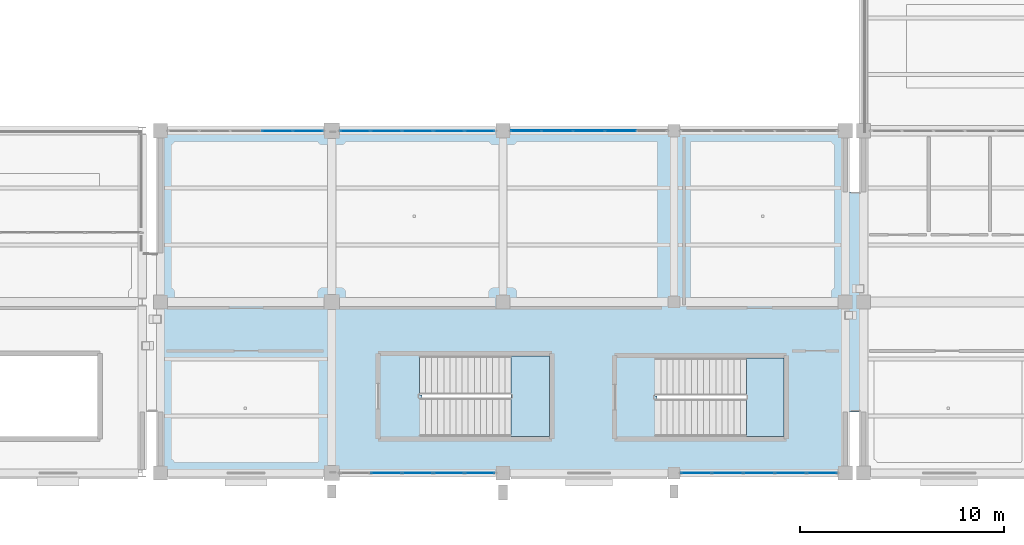
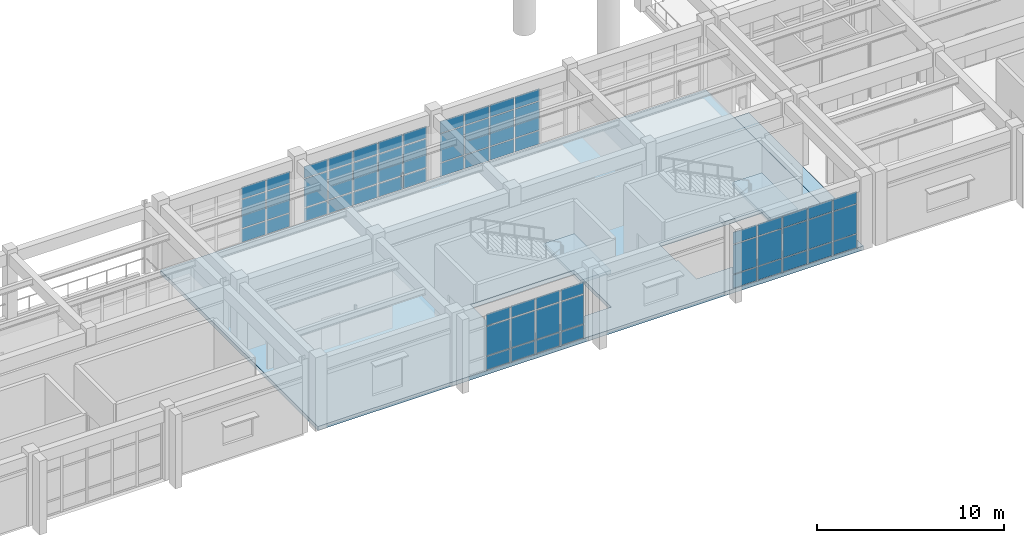
# One storey, part 69 of 98: 60 plates, 4 slabs, 7 elements without a shape of their own.
"""IFC4 building model written with IfcOpenShell, lengths in metres."""

from ifc_helpers import new_model, si_unit, direction, frame, origin, origin_2d, place, context, subcontext, project, spatial, polyline, rectangle, outline, extrude, material, layer, layer_set, type_object, element, aggregate, save


model = new_model("IFC4")

# Units and contexts
model_context = context("Model", 3, precision=1e-05, world=origin(), true_north=direction((0.0, 1.0)))
body_context = subcontext(model_context, "Body", "Model", "MODEL_VIEW")
ifc_project = project(units=[si_unit("LENGTHUNIT", "METRE"), si_unit("AREAUNIT", "SQUARE_METRE"), si_unit("VOLUMEUNIT", "CUBIC_METRE"), si_unit("PLANEANGLEUNIT", "RADIAN"), si_unit("MASSUNIT", "GRAM", prefix="KILO")], contexts=[model_context])

# Site, building, storey
site_placement = place(None, origin())
site = spatial("IfcSite", under=ifc_project, at=site_placement, CompositionType="ELEMENT")
building_placement = place(site_placement, origin())
building = spatial("IfcBuilding", under=site, at=building_placement, Name="Canglan Escarpment Cableway Terminal", CompositionType="ELEMENT")
storey_placement = place(building_placement, frame((0.0, 0.0, 9.60009765625)))
storey = spatial("IfcBuildingStorey", under=building, at=storey_placement, Name="L02", CompositionType="ELEMENT", Elevation=9.60009765625)

# Curtain wall, plates
ifc_material_1 = material(Name="Anodized bronze aluminium and Low-E double glazing", Category="aluminium")
curtain_wall_type_1 = type_object("IfcCurtainWallType", Name="CW-BAY-7675x3725", PredefinedType="NOTDEFINED", material=ifc_material_1)
curtain_wall_1_placement = place(storey_placement, origin())
curtain_wall_1 = element("IfcCurtainWall", 1, at=curtain_wall_1_placement, inside=storey, type_object=curtain_wall_type_1, Name="Classical bay-between-piers glazed curtain wall CW-05", PredefinedType="NOTDEFINED")
ifc_material_2 = material(Name="Double-silver Low-E laminated insulating glass", Category="glass")
ifc_layer_1 = layer(ifc_material_2, 0.02392578125, Name="Double-silver Low-E laminated insulating glass")
ifc_layer_set_1 = layer_set([ifc_layer_1], Name="Double-silver Low-E laminated insulating glass")
plate_type_1 = type_object("IfcPlateType", Name="CWP-01", PredefinedType="CURTAIN_PANEL", material=ifc_layer_set_1)
plate_1_placement = place(storey_placement, frame((84.2412109375, 24.800048828125, 0.06005859375), z_axis=(0.0, 0.0, 1.0), x_axis=(-1.0, 0.0, 0.0)))
plate_1 = element("IfcPlate", 2, at=plate_1_placement, type_object=plate_type_1, Name="CW-05 panel 1.1", PredefinedType="CURTAIN_PANEL", context=body_context, shape_type="SweptSolid", body=[
    extrude(rectangle(XDim=1.4375, YDim=0.02392578125, at=origin_2d()), origin(), (0.0, 0.0, 1.0), 0.860107421875),
])
plate_2_placement = place(storey_placement, frame((84.2412109375, 24.800048828125, 0.97998046875), z_axis=(0.0, 0.0, 1.0), x_axis=(-1.0, 0.0, 0.0)))
plate_2 = element("IfcPlate", 3, at=plate_2_placement, type_object=plate_type_1, Name="CW-05 panel 1.2", PredefinedType="CURTAIN_PANEL", context=body_context, shape_type="SweptSolid", body=[
    extrude(rectangle(XDim=1.4375, YDim=0.02392578125, at=origin_2d()), origin(), (0.0, 0.0, 1.0), 1.85498046875),
])
plate_3_placement = place(storey_placement, frame((84.2412109375, 24.800048828125, 2.89501953125), z_axis=(0.0, 0.0, 1.0), x_axis=(-1.0, 0.0, 0.0)))
plate_3 = element("IfcPlate", 4, at=plate_3_placement, type_object=plate_type_1, Name="CW-05 panel 1.3", PredefinedType="CURTAIN_PANEL", context=body_context, shape_type="SweptSolid", body=[
    extrude(rectangle(XDim=1.4375, YDim=0.02392578125, at=origin_2d()), origin(), (0.0, 0.0, 1.0), 0.760009765625),
])
plate_4_placement = place(storey_placement, frame((82.722412109375, 24.800048828125, 0.06005859375), z_axis=(0.0, 0.0, 1.0), x_axis=(-1.0, 0.0, 0.0)))
plate_4 = element("IfcPlate", 5, at=plate_4_placement, type_object=plate_type_1, Name="CW-05 panel 2.1", PredefinedType="CURTAIN_PANEL", context=body_context, shape_type="SweptSolid", body=[
    extrude(rectangle(XDim=1.469970703125, YDim=0.02392578125, at=origin_2d()), origin(), (0.0, 0.0, 1.0), 0.860107421875),
])
plate_5_placement = place(storey_placement, frame((82.722412109375, 24.800048828125, 0.97998046875), z_axis=(0.0, 0.0, 1.0), x_axis=(-1.0, 0.0, 0.0)))
plate_5 = element("IfcPlate", 6, at=plate_5_placement, type_object=plate_type_1, Name="CW-05 panel 2.2", PredefinedType="CURTAIN_PANEL", context=body_context, shape_type="SweptSolid", body=[
    extrude(rectangle(XDim=1.469970703125, YDim=0.02392578125, at=origin_2d()), origin(), (0.0, 0.0, 1.0), 1.85498046875),
])
plate_6_placement = place(storey_placement, frame((82.722412109375, 24.800048828125, 2.89501953125), z_axis=(0.0, 0.0, 1.0), x_axis=(-1.0, 0.0, 0.0)))
plate_6 = element("IfcPlate", 7, at=plate_6_placement, type_object=plate_type_1, Name="CW-05 panel 2.3", PredefinedType="CURTAIN_PANEL", context=body_context, shape_type="SweptSolid", body=[
    extrude(rectangle(XDim=1.469970703125, YDim=0.02392578125, at=origin_2d()), origin(), (0.0, 0.0, 1.0), 0.760009765625),
])
aggregate(curtain_wall_1, [plate_1, plate_2, plate_3, plate_4, plate_5, plate_6])

curtain_wall_type_2 = type_object("IfcCurtainWallType", Name="CW-BAY-7675x3750", PredefinedType="NOTDEFINED", material=ifc_material_1)
curtain_wall_2_placement = place(storey_placement, origin())
curtain_wall_2 = element("IfcCurtainWall", 8, at=curtain_wall_2_placement, inside=storey, type_object=curtain_wall_type_2, Name="Classical bay-between-piers glazed curtain wall CW-11", PredefinedType="NOTDEFINED")
ifc_layer_2 = layer(ifc_material_2, 0.028076171875, Name="Double-silver Low-E laminated insulating glass")
ifc_layer_set_2 = layer_set([ifc_layer_2], Name="Double-silver Low-E laminated insulating glass")
plate_type_2 = type_object("IfcPlateType", Name="CWP-02", PredefinedType="CURTAIN_PANEL", material=ifc_layer_set_2)
plate_7_placement = place(storey_placement, frame((88.077392578125, 8.0, 0.06494140625), z_axis=(0.0, 0.0, 1.0), x_axis=(1.0, 0.0, 0.0)))
plate_7 = element("IfcPlate", 9, at=plate_7_placement, type_object=plate_type_2, Name="CW-11 panel 2.1", PredefinedType="CURTAIN_PANEL", context=body_context, shape_type="SweptSolid", body=[
    extrude(rectangle(XDim=1.469970703125, YDim=0.028076171875, at=origin_2d()), origin(), (0.0, 0.0, 1.0), 0.8525390625),
])
plate_8_placement = place(storey_placement, frame((88.077392578125, 8.0, 0.982421875), z_axis=(0.0, 0.0, 1.0), x_axis=(1.0, 0.0, 0.0)))
plate_8 = element("IfcPlate", 10, at=plate_8_placement, type_object=plate_type_2, Name="CW-11 panel 2.2", PredefinedType="CURTAIN_PANEL", context=body_context, shape_type="SweptSolid", body=[
    extrude(rectangle(XDim=1.469970703125, YDim=0.028076171875, at=origin_2d()), origin(), (0.0, 0.0, 1.0), 1.889892578125),
])
plate_9_placement = place(storey_placement, frame((88.077392578125, 8.0, 2.9375), z_axis=(0.0, 0.0, 1.0), x_axis=(1.0, 0.0, 0.0)))
plate_9 = element("IfcPlate", 11, at=plate_9_placement, type_object=plate_type_2, Name="CW-11 panel 2.3", PredefinedType="CURTAIN_PANEL", context=body_context, shape_type="SweptSolid", body=[
    extrude(rectangle(XDim=1.469970703125, YDim=0.028076171875, at=origin_2d()), origin(), (0.0, 0.0, 1.0), 0.75244140625),
])
plate_10_placement = place(storey_placement, frame((89.612548828125, 8.0, 0.06494140625), z_axis=(0.0, 0.0, 1.0), x_axis=(1.0, 0.0, 0.0)))
plate_10 = element("IfcPlate", 12, at=plate_10_placement, type_object=plate_type_2, Name="CW-11 panel 3.1", PredefinedType="CURTAIN_PANEL", context=body_context, shape_type="SweptSolid", body=[
    extrude(rectangle(XDim=1.469970703125, YDim=0.028076171875, at=origin_2d()), origin(), (0.0, 0.0, 1.0), 0.8525390625),
])
plate_11_placement = place(storey_placement, frame((89.612548828125, 8.0, 0.982421875), z_axis=(0.0, 0.0, 1.0), x_axis=(1.0, 0.0, 0.0)))
plate_11 = element("IfcPlate", 13, at=plate_11_placement, type_object=plate_type_2, Name="CW-11 panel 3.2", PredefinedType="CURTAIN_PANEL", context=body_context, shape_type="SweptSolid", body=[
    extrude(rectangle(XDim=1.469970703125, YDim=0.028076171875, at=origin_2d()), origin(), (0.0, 0.0, 1.0), 1.889892578125),
])
plate_12_placement = place(storey_placement, frame((89.612548828125, 8.0, 2.9375), z_axis=(0.0, 0.0, 1.0), x_axis=(1.0, 0.0, 0.0)))
plate_12 = element("IfcPlate", 14, at=plate_12_placement, type_object=plate_type_2, Name="CW-11 panel 3.3", PredefinedType="CURTAIN_PANEL", context=body_context, shape_type="SweptSolid", body=[
    extrude(rectangle(XDim=1.469970703125, YDim=0.028076171875, at=origin_2d()), origin(), (0.0, 0.0, 1.0), 0.75244140625),
])
plate_13_placement = place(storey_placement, frame((91.1474609375, 8.0, 0.06494140625), z_axis=(0.0, 0.0, 1.0), x_axis=(1.0, 0.0, 0.0)))
plate_13 = element("IfcPlate", 15, at=plate_13_placement, type_object=plate_type_2, Name="CW-11 panel 4.1", PredefinedType="CURTAIN_PANEL", context=body_context, shape_type="SweptSolid", body=[
    extrude(rectangle(XDim=1.469970703125, YDim=0.028076171875, at=origin_2d()), origin(), (0.0, 0.0, 1.0), 0.8525390625),
])
plate_14_placement = place(storey_placement, frame((91.1474609375, 8.0, 0.982421875), z_axis=(0.0, 0.0, 1.0), x_axis=(1.0, 0.0, 0.0)))
plate_14 = element("IfcPlate", 16, at=plate_14_placement, type_object=plate_type_2, Name="CW-11 panel 4.2", PredefinedType="CURTAIN_PANEL", context=body_context, shape_type="SweptSolid", body=[
    extrude(rectangle(XDim=1.469970703125, YDim=0.028076171875, at=origin_2d()), origin(), (0.0, 0.0, 1.0), 1.889892578125),
])
plate_15_placement = place(storey_placement, frame((91.1474609375, 8.0, 2.9375), z_axis=(0.0, 0.0, 1.0), x_axis=(1.0, 0.0, 0.0)))
plate_15 = element("IfcPlate", 17, at=plate_15_placement, type_object=plate_type_2, Name="CW-11 panel 4.3", PredefinedType="CURTAIN_PANEL", context=body_context, shape_type="SweptSolid", body=[
    extrude(rectangle(XDim=1.469970703125, YDim=0.028076171875, at=origin_2d()), origin(), (0.0, 0.0, 1.0), 0.75244140625),
])
plate_16_placement = place(storey_placement, frame((92.666259765625, 8.0, 0.06494140625), z_axis=(0.0, 0.0, 1.0), x_axis=(1.0, 0.0, 0.0)))
plate_16 = element("IfcPlate", 18, at=plate_16_placement, type_object=plate_type_2, Name="CW-11 panel 5.1", PredefinedType="CURTAIN_PANEL", context=body_context, shape_type="SweptSolid", body=[
    extrude(rectangle(XDim=1.4375, YDim=0.028076171875, at=origin_2d()), origin(), (0.0, 0.0, 1.0), 0.8525390625),
])
plate_17_placement = place(storey_placement, frame((92.666259765625, 8.0, 0.982421875), z_axis=(0.0, 0.0, 1.0), x_axis=(1.0, 0.0, 0.0)))
plate_17 = element("IfcPlate", 19, at=plate_17_placement, type_object=plate_type_2, Name="CW-11 panel 5.2", PredefinedType="CURTAIN_PANEL", context=body_context, shape_type="SweptSolid", body=[
    extrude(rectangle(XDim=1.4375, YDim=0.028076171875, at=origin_2d()), origin(), (0.0, 0.0, 1.0), 1.889892578125),
])
plate_18_placement = place(storey_placement, frame((92.666259765625, 8.0, 2.9375), z_axis=(0.0, 0.0, 1.0), x_axis=(1.0, 0.0, 0.0)))
plate_18 = element("IfcPlate", 20, at=plate_18_placement, type_object=plate_type_2, Name="CW-11 panel 5.3", PredefinedType="CURTAIN_PANEL", context=body_context, shape_type="SweptSolid", body=[
    extrude(rectangle(XDim=1.4375, YDim=0.028076171875, at=origin_2d()), origin(), (0.0, 0.0, 1.0), 0.75244140625),
])
aggregate(curtain_wall_2, [plate_7, plate_8, plate_9, plate_10, plate_11, plate_12, plate_13, plate_14, plate_15, plate_16, plate_17, plate_18])

curtain_wall_3_placement = place(storey_placement, origin())
curtain_wall_3 = element("IfcCurtainWall", 21, at=curtain_wall_3_placement, inside=storey, type_object=curtain_wall_type_1, Name="Classical bay-between-piers glazed curtain wall CW-05", PredefinedType="NOTDEFINED")
plate_19_placement = place(storey_placement, frame((92.666259765625, 24.800048828125, 0.06494140625), z_axis=(0.0, 0.0, 1.0), x_axis=(-1.0, 0.0, 0.0)))
plate_19 = element("IfcPlate", 22, at=plate_19_placement, type_object=plate_type_2, Name="CW-05 panel 1.1", PredefinedType="CURTAIN_PANEL", context=body_context, shape_type="SweptSolid", body=[
    extrude(rectangle(XDim=1.4375, YDim=0.028076171875, at=origin_2d()), origin(), (0.0, 0.0, 1.0), 0.8525390625),
])
plate_20_placement = place(storey_placement, frame((92.666259765625, 24.800048828125, 0.982421875), z_axis=(0.0, 0.0, 1.0), x_axis=(-1.0, 0.0, 0.0)))
plate_20 = element("IfcPlate", 23, at=plate_20_placement, type_object=plate_type_2, Name="CW-05 panel 1.2", PredefinedType="CURTAIN_PANEL", context=body_context, shape_type="SweptSolid", body=[
    extrude(rectangle(XDim=1.4375, YDim=0.028076171875, at=origin_2d()), origin(), (0.0, 0.0, 1.0), 1.85009765625),
])
plate_21_placement = place(storey_placement, frame((92.666259765625, 24.800048828125, 2.8974609375), z_axis=(0.0, 0.0, 1.0), x_axis=(-1.0, 0.0, 0.0)))
plate_21 = element("IfcPlate", 24, at=plate_21_placement, type_object=plate_type_2, Name="CW-05 panel 1.3", PredefinedType="CURTAIN_PANEL", context=body_context, shape_type="SweptSolid", body=[
    extrude(rectangle(XDim=1.4375, YDim=0.028076171875, at=origin_2d()), origin(), (0.0, 0.0, 1.0), 0.75244140625),
])
plate_22_placement = place(storey_placement, frame((91.1474609375, 24.800048828125, 0.06494140625), z_axis=(0.0, 0.0, 1.0), x_axis=(-1.0, 0.0, 0.0)))
plate_22 = element("IfcPlate", 25, at=plate_22_placement, type_object=plate_type_2, Name="CW-05 panel 2.1", PredefinedType="CURTAIN_PANEL", context=body_context, shape_type="SweptSolid", body=[
    extrude(rectangle(XDim=1.469970703125, YDim=0.028076171875, at=origin_2d()), origin(), (0.0, 0.0, 1.0), 0.8525390625),
])
plate_23_placement = place(storey_placement, frame((91.1474609375, 24.800048828125, 0.982421875), z_axis=(0.0, 0.0, 1.0), x_axis=(-1.0, 0.0, 0.0)))
plate_23 = element("IfcPlate", 26, at=plate_23_placement, type_object=plate_type_2, Name="CW-05 panel 2.2", PredefinedType="CURTAIN_PANEL", context=body_context, shape_type="SweptSolid", body=[
    extrude(rectangle(XDim=1.469970703125, YDim=0.028076171875, at=origin_2d()), origin(), (0.0, 0.0, 1.0), 1.85009765625),
])
plate_24_placement = place(storey_placement, frame((91.1474609375, 24.800048828125, 2.8974609375), z_axis=(0.0, 0.0, 1.0), x_axis=(-1.0, 0.0, 0.0)))
plate_24 = element("IfcPlate", 27, at=plate_24_placement, type_object=plate_type_2, Name="CW-05 panel 2.3", PredefinedType="CURTAIN_PANEL", context=body_context, shape_type="SweptSolid", body=[
    extrude(rectangle(XDim=1.469970703125, YDim=0.028076171875, at=origin_2d()), origin(), (0.0, 0.0, 1.0), 0.75244140625),
])
plate_25_placement = place(storey_placement, frame((89.612548828125, 24.800048828125, 0.06494140625), z_axis=(0.0, 0.0, 1.0), x_axis=(-1.0, 0.0, 0.0)))
plate_25 = element("IfcPlate", 28, at=plate_25_placement, type_object=plate_type_2, Name="CW-05 panel 3.1", PredefinedType="CURTAIN_PANEL", context=body_context, shape_type="SweptSolid", body=[
    extrude(rectangle(XDim=1.469970703125, YDim=0.028076171875, at=origin_2d()), origin(), (0.0, 0.0, 1.0), 0.8525390625),
])
plate_26_placement = place(storey_placement, frame((89.612548828125, 24.800048828125, 0.982421875), z_axis=(0.0, 0.0, 1.0), x_axis=(-1.0, 0.0, 0.0)))
plate_26 = element("IfcPlate", 29, at=plate_26_placement, type_object=plate_type_2, Name="CW-05 panel 3.2", PredefinedType="CURTAIN_PANEL", context=body_context, shape_type="SweptSolid", body=[
    extrude(rectangle(XDim=1.469970703125, YDim=0.028076171875, at=origin_2d()), origin(), (0.0, 0.0, 1.0), 1.85009765625),
])
plate_27_placement = place(storey_placement, frame((89.612548828125, 24.800048828125, 2.8974609375), z_axis=(0.0, 0.0, 1.0), x_axis=(-1.0, 0.0, 0.0)))
plate_27 = element("IfcPlate", 30, at=plate_27_placement, type_object=plate_type_2, Name="CW-05 panel 3.3", PredefinedType="CURTAIN_PANEL", context=body_context, shape_type="SweptSolid", body=[
    extrude(rectangle(XDim=1.469970703125, YDim=0.028076171875, at=origin_2d()), origin(), (0.0, 0.0, 1.0), 0.75244140625),
])
plate_28_placement = place(storey_placement, frame((88.077392578125, 24.800048828125, 0.06494140625), z_axis=(0.0, 0.0, 1.0), x_axis=(-1.0, 0.0, 0.0)))
plate_28 = element("IfcPlate", 31, at=plate_28_placement, type_object=plate_type_2, Name="CW-05 panel 4.1", PredefinedType="CURTAIN_PANEL", context=body_context, shape_type="SweptSolid", body=[
    extrude(rectangle(XDim=1.469970703125, YDim=0.028076171875, at=origin_2d()), origin(), (0.0, 0.0, 1.0), 0.8525390625),
])
plate_29_placement = place(storey_placement, frame((88.077392578125, 24.800048828125, 0.982421875), z_axis=(0.0, 0.0, 1.0), x_axis=(-1.0, 0.0, 0.0)))
plate_29 = element("IfcPlate", 32, at=plate_29_placement, type_object=plate_type_2, Name="CW-05 panel 4.2", PredefinedType="CURTAIN_PANEL", context=body_context, shape_type="SweptSolid", body=[
    extrude(rectangle(XDim=1.469970703125, YDim=0.028076171875, at=origin_2d()), origin(), (0.0, 0.0, 1.0), 1.85009765625),
])
plate_30_placement = place(storey_placement, frame((88.077392578125, 24.800048828125, 2.8974609375), z_axis=(0.0, 0.0, 1.0), x_axis=(-1.0, 0.0, 0.0)))
plate_30 = element("IfcPlate", 33, at=plate_30_placement, type_object=plate_type_2, Name="CW-05 panel 4.3", PredefinedType="CURTAIN_PANEL", context=body_context, shape_type="SweptSolid", body=[
    extrude(rectangle(XDim=1.469970703125, YDim=0.028076171875, at=origin_2d()), origin(), (0.0, 0.0, 1.0), 0.75244140625),
])
plate_31_placement = place(storey_placement, frame((86.558837890625, 24.800048828125, 0.06494140625), z_axis=(0.0, 0.0, 1.0), x_axis=(-1.0, 0.0, 0.0)))
plate_31 = element("IfcPlate", 34, at=plate_31_placement, type_object=plate_type_2, Name="CW-05 panel 5.1", PredefinedType="CURTAIN_PANEL", context=body_context, shape_type="SweptSolid", body=[
    extrude(rectangle(XDim=1.4375, YDim=0.028076171875, at=origin_2d()), origin(), (0.0, 0.0, 1.0), 0.8525390625),
])
plate_32_placement = place(storey_placement, frame((86.558837890625, 24.800048828125, 0.982421875), z_axis=(0.0, 0.0, 1.0), x_axis=(-1.0, 0.0, 0.0)))
plate_32 = element("IfcPlate", 35, at=plate_32_placement, type_object=plate_type_2, Name="CW-05 panel 5.2", PredefinedType="CURTAIN_PANEL", context=body_context, shape_type="SweptSolid", body=[
    extrude(rectangle(XDim=1.4375, YDim=0.028076171875, at=origin_2d()), origin(), (0.0, 0.0, 1.0), 1.85009765625),
])
plate_33_placement = place(storey_placement, frame((86.558837890625, 24.800048828125, 2.8974609375), z_axis=(0.0, 0.0, 1.0), x_axis=(-1.0, 0.0, 0.0)))
plate_33 = element("IfcPlate", 36, at=plate_33_placement, type_object=plate_type_2, Name="CW-05 panel 5.3", PredefinedType="CURTAIN_PANEL", context=body_context, shape_type="SweptSolid", body=[
    extrude(rectangle(XDim=1.4375, YDim=0.028076171875, at=origin_2d()), origin(), (0.0, 0.0, 1.0), 0.75244140625),
])
aggregate(curtain_wall_3, [plate_19, plate_20, plate_21, plate_22, plate_23, plate_24, plate_25, plate_26, plate_27, plate_28, plate_29, plate_30, plate_31, plate_32, plate_33])

curtain_wall_type_3 = type_object("IfcCurtainWallType", Name="CW-BAY-7750x3725", PredefinedType="NOTDEFINED", material=ifc_material_1)
curtain_wall_4_placement = place(storey_placement, origin())
curtain_wall_4 = element("IfcCurtainWall", 37, at=curtain_wall_4_placement, inside=storey, type_object=curtain_wall_type_3, Name="Classical bay-between-piers glazed curtain wall CW-12", PredefinedType="NOTDEFINED")
ifc_layer_3 = layer(ifc_material_2, 0.031982421875, Name="Double-silver Low-E laminated insulating glass")
ifc_layer_set_3 = layer_set([ifc_layer_3], Name="Double-silver Low-E laminated insulating glass")
plate_type_3 = type_object("IfcPlateType", Name="CWP-03", PredefinedType="CURTAIN_PANEL", material=ifc_layer_set_3)
plate_34_placement = place(storey_placement, frame((99.574951171875, 24.800048828125, 0.05517578125), z_axis=(0.0, 0.0, 1.0), x_axis=(-1.0, 0.0, 0.0)))
plate_34 = element("IfcPlate", 38, at=plate_34_placement, type_object=plate_type_3, Name="CW-12 panel 2.1", PredefinedType="CURTAIN_PANEL", context=body_context, shape_type="SweptSolid", body=[
    extrude(rectangle(XDim=1.489990234375, YDim=0.031982421875, at=origin_2d()), origin(), (0.0, 0.0, 1.0), 0.867431640625),
])
plate_35_placement = place(storey_placement, frame((99.574951171875, 24.800048828125, 0.9775390625), z_axis=(0.0, 0.0, 1.0), x_axis=(-1.0, 0.0, 0.0)))
plate_35 = element("IfcPlate", 39, at=plate_35_placement, type_object=plate_type_3, Name="CW-12 panel 2.2", PredefinedType="CURTAIN_PANEL", context=body_context, shape_type="SweptSolid", body=[
    extrude(rectangle(XDim=1.489990234375, YDim=0.031982421875, at=origin_2d()), origin(), (0.0, 0.0, 1.0), 1.860107421875),
])
plate_36_placement = place(storey_placement, frame((99.574951171875, 24.800048828125, 2.892333984375), z_axis=(0.0, 0.0, 1.0), x_axis=(-1.0, 0.0, 0.0)))
plate_36 = element("IfcPlate", 40, at=plate_36_placement, type_object=plate_type_3, Name="CW-12 panel 2.3", PredefinedType="CURTAIN_PANEL", context=body_context, shape_type="SweptSolid", body=[
    extrude(rectangle(XDim=1.489990234375, YDim=0.031982421875, at=origin_2d()), origin(), (0.0, 0.0, 1.0), 0.767578125),
])
plate_37_placement = place(storey_placement, frame((98.02490234375, 24.800048828125, 0.05517578125), z_axis=(0.0, 0.0, 1.0), x_axis=(-1.0, 0.0, 0.0)))
plate_37 = element("IfcPlate", 41, at=plate_37_placement, type_object=plate_type_3, Name="CW-12 panel 3.1", PredefinedType="CURTAIN_PANEL", context=body_context, shape_type="SweptSolid", body=[
    extrude(rectangle(XDim=1.489990234375, YDim=0.031982421875, at=origin_2d()), origin(), (0.0, 0.0, 1.0), 0.867431640625),
])
plate_38_placement = place(storey_placement, frame((98.02490234375, 24.800048828125, 0.9775390625), z_axis=(0.0, 0.0, 1.0), x_axis=(-1.0, 0.0, 0.0)))
plate_38 = element("IfcPlate", 42, at=plate_38_placement, type_object=plate_type_3, Name="CW-12 panel 3.2", PredefinedType="CURTAIN_PANEL", context=body_context, shape_type="SweptSolid", body=[
    extrude(rectangle(XDim=1.489990234375, YDim=0.031982421875, at=origin_2d()), origin(), (0.0, 0.0, 1.0), 1.860107421875),
])
plate_39_placement = place(storey_placement, frame((98.02490234375, 24.800048828125, 2.892333984375), z_axis=(0.0, 0.0, 1.0), x_axis=(-1.0, 0.0, 0.0)))
plate_39 = element("IfcPlate", 43, at=plate_39_placement, type_object=plate_type_3, Name="CW-12 panel 3.3", PredefinedType="CURTAIN_PANEL", context=body_context, shape_type="SweptSolid", body=[
    extrude(rectangle(XDim=1.489990234375, YDim=0.031982421875, at=origin_2d()), origin(), (0.0, 0.0, 1.0), 0.767578125),
])
plate_40_placement = place(storey_placement, frame((96.47509765625, 24.800048828125, 0.05517578125), z_axis=(0.0, 0.0, 1.0), x_axis=(-1.0, 0.0, 0.0)))
plate_40 = element("IfcPlate", 44, at=plate_40_placement, type_object=plate_type_3, Name="CW-12 panel 4.1", PredefinedType="CURTAIN_PANEL", context=body_context, shape_type="SweptSolid", body=[
    extrude(rectangle(XDim=1.489990234375, YDim=0.031982421875, at=origin_2d()), origin(), (0.0, 0.0, 1.0), 0.867431640625),
])
plate_41_placement = place(storey_placement, frame((96.47509765625, 24.800048828125, 0.9775390625), z_axis=(0.0, 0.0, 1.0), x_axis=(-1.0, 0.0, 0.0)))
plate_41 = element("IfcPlate", 45, at=plate_41_placement, type_object=plate_type_3, Name="CW-12 panel 4.2", PredefinedType="CURTAIN_PANEL", context=body_context, shape_type="SweptSolid", body=[
    extrude(rectangle(XDim=1.489990234375, YDim=0.031982421875, at=origin_2d()), origin(), (0.0, 0.0, 1.0), 1.860107421875),
])
plate_42_placement = place(storey_placement, frame((96.47509765625, 24.800048828125, 2.892333984375), z_axis=(0.0, 0.0, 1.0), x_axis=(-1.0, 0.0, 0.0)))
plate_42 = element("IfcPlate", 46, at=plate_42_placement, type_object=plate_type_3, Name="CW-12 panel 4.3", PredefinedType="CURTAIN_PANEL", context=body_context, shape_type="SweptSolid", body=[
    extrude(rectangle(XDim=1.489990234375, YDim=0.031982421875, at=origin_2d()), origin(), (0.0, 0.0, 1.0), 0.767578125),
])
plate_43_placement = place(storey_placement, frame((94.93994140625, 24.800048828125, 0.05517578125), z_axis=(0.0, 0.0, 1.0), x_axis=(-1.0, 0.0, 0.0)))
plate_43 = element("IfcPlate", 47, at=plate_43_placement, type_object=plate_type_3, Name="CW-12 panel 5.1", PredefinedType="CURTAIN_PANEL", context=body_context, shape_type="SweptSolid", body=[
    extrude(rectangle(XDim=1.4599609375, YDim=0.031982421875, at=origin_2d()), origin(), (0.0, 0.0, 1.0), 0.867431640625),
])
plate_44_placement = place(storey_placement, frame((94.93994140625, 24.800048828125, 0.9775390625), z_axis=(0.0, 0.0, 1.0), x_axis=(-1.0, 0.0, 0.0)))
plate_44 = element("IfcPlate", 48, at=plate_44_placement, type_object=plate_type_3, Name="CW-12 panel 5.2", PredefinedType="CURTAIN_PANEL", context=body_context, shape_type="SweptSolid", body=[
    extrude(rectangle(XDim=1.4599609375, YDim=0.031982421875, at=origin_2d()), origin(), (0.0, 0.0, 1.0), 1.860107421875),
])
plate_45_placement = place(storey_placement, frame((94.93994140625, 24.800048828125, 2.892333984375), z_axis=(0.0, 0.0, 1.0), x_axis=(-1.0, 0.0, 0.0)))
plate_45 = element("IfcPlate", 49, at=plate_45_placement, type_object=plate_type_3, Name="CW-12 panel 5.3", PredefinedType="CURTAIN_PANEL", context=body_context, shape_type="SweptSolid", body=[
    extrude(rectangle(XDim=1.4599609375, YDim=0.031982421875, at=origin_2d()), origin(), (0.0, 0.0, 1.0), 0.767578125),
])
aggregate(curtain_wall_4, [plate_34, plate_35, plate_36, plate_37, plate_38, plate_39, plate_40, plate_41, plate_42, plate_43, plate_44, plate_45])

curtain_wall_type_4 = type_object("IfcCurtainWallType", Name="CW-BAY-7750x3750", PredefinedType="NOTDEFINED", material=ifc_material_1)
curtain_wall_5_placement = place(storey_placement, origin())
curtain_wall_5 = element("IfcCurtainWall", 50, at=curtain_wall_5_placement, inside=storey, type_object=curtain_wall_type_4, Name="Classical bay-between-piers glazed curtain wall CW-07", PredefinedType="NOTDEFINED")
ifc_layer_4 = layer(ifc_material_2, 0.035888671875, Name="Double-silver Low-E laminated insulating glass")
ifc_layer_set_4 = layer_set([ifc_layer_4], Name="Double-silver Low-E laminated insulating glass")
plate_type_4 = type_object("IfcPlateType", Name="CWP-04", PredefinedType="CURTAIN_PANEL", material=ifc_layer_set_4)
plate_46_placement = place(storey_placement, frame((103.291259765625, 8.0, 0.06005859375), z_axis=(0.0, 0.0, 1.0), x_axis=(1.0, 0.0, 0.0)))
plate_46 = element("IfcPlate", 51, at=plate_46_placement, type_object=plate_type_4, Name="CW-07 panel 1.1", PredefinedType="CURTAIN_PANEL", context=body_context, shape_type="SweptSolid", body=[
    extrude(rectangle(XDim=1.452392578125, YDim=0.035888671875, at=origin_2d()), origin(), (0.0, 0.0, 1.0), 0.860107421875),
])
plate_47_placement = place(storey_placement, frame((103.291259765625, 8.0, 0.97998046875), z_axis=(0.0, 0.0, 1.0), x_axis=(1.0, 0.0, 0.0)))
plate_47 = element("IfcPlate", 52, at=plate_47_placement, type_object=plate_type_4, Name="CW-07 panel 1.2", PredefinedType="CURTAIN_PANEL", context=body_context, shape_type="SweptSolid", body=[
    extrude(rectangle(XDim=1.452392578125, YDim=0.035888671875, at=origin_2d()), origin(), (0.0, 0.0, 1.0), 1.89501953125),
])
plate_48_placement = place(storey_placement, frame((103.291259765625, 8.0, 2.93505859375), z_axis=(0.0, 0.0, 1.0), x_axis=(1.0, 0.0, 0.0)))
plate_48 = element("IfcPlate", 53, at=plate_48_placement, type_object=plate_type_4, Name="CW-07 panel 1.3", PredefinedType="CURTAIN_PANEL", context=body_context, shape_type="SweptSolid", body=[
    extrude(rectangle(XDim=1.452392578125, YDim=0.035888671875, at=origin_2d()), origin(), (0.0, 0.0, 1.0), 0.760009765625),
])
plate_49_placement = place(storey_placement, frame((104.824951171875, 8.0, 0.06005859375), z_axis=(0.0, 0.0, 1.0), x_axis=(1.0, 0.0, 0.0)))
plate_49 = element("IfcPlate", 54, at=plate_49_placement, type_object=plate_type_4, Name="CW-07 panel 2.1", PredefinedType="CURTAIN_PANEL", context=body_context, shape_type="SweptSolid", body=[
    extrude(rectangle(XDim=1.485107421875, YDim=0.035888671875, at=origin_2d()), origin(), (0.0, 0.0, 1.0), 0.860107421875),
])
plate_50_placement = place(storey_placement, frame((104.824951171875, 8.0, 0.97998046875), z_axis=(0.0, 0.0, 1.0), x_axis=(1.0, 0.0, 0.0)))
plate_50 = element("IfcPlate", 55, at=plate_50_placement, type_object=plate_type_4, Name="CW-07 panel 2.2", PredefinedType="CURTAIN_PANEL", context=body_context, shape_type="SweptSolid", body=[
    extrude(rectangle(XDim=1.485107421875, YDim=0.035888671875, at=origin_2d()), origin(), (0.0, 0.0, 1.0), 1.89501953125),
])
plate_51_placement = place(storey_placement, frame((104.824951171875, 8.0, 2.93505859375), z_axis=(0.0, 0.0, 1.0), x_axis=(1.0, 0.0, 0.0)))
plate_51 = element("IfcPlate", 56, at=plate_51_placement, type_object=plate_type_4, Name="CW-07 panel 2.3", PredefinedType="CURTAIN_PANEL", context=body_context, shape_type="SweptSolid", body=[
    extrude(rectangle(XDim=1.485107421875, YDim=0.035888671875, at=origin_2d()), origin(), (0.0, 0.0, 1.0), 0.760009765625),
])
plate_52_placement = place(storey_placement, frame((106.375, 8.0, 0.06005859375), z_axis=(0.0, 0.0, 1.0), x_axis=(1.0, 0.0, 0.0)))
plate_52 = element("IfcPlate", 57, at=plate_52_placement, type_object=plate_type_4, Name="CW-07 panel 3.1", PredefinedType="CURTAIN_PANEL", context=body_context, shape_type="SweptSolid", body=[
    extrude(rectangle(XDim=1.485107421875, YDim=0.035888671875, at=origin_2d()), origin(), (0.0, 0.0, 1.0), 0.860107421875),
])
plate_53_placement = place(storey_placement, frame((106.375, 8.0, 0.97998046875), z_axis=(0.0, 0.0, 1.0), x_axis=(1.0, 0.0, 0.0)))
plate_53 = element("IfcPlate", 58, at=plate_53_placement, type_object=plate_type_4, Name="CW-07 panel 3.2", PredefinedType="CURTAIN_PANEL", context=body_context, shape_type="SweptSolid", body=[
    extrude(rectangle(XDim=1.485107421875, YDim=0.035888671875, at=origin_2d()), origin(), (0.0, 0.0, 1.0), 1.89501953125),
])
plate_54_placement = place(storey_placement, frame((106.375, 8.0, 2.93505859375), z_axis=(0.0, 0.0, 1.0), x_axis=(1.0, 0.0, 0.0)))
plate_54 = element("IfcPlate", 59, at=plate_54_placement, type_object=plate_type_4, Name="CW-07 panel 3.3", PredefinedType="CURTAIN_PANEL", context=body_context, shape_type="SweptSolid", body=[
    extrude(rectangle(XDim=1.485107421875, YDim=0.035888671875, at=origin_2d()), origin(), (0.0, 0.0, 1.0), 0.760009765625),
])
plate_55_placement = place(storey_placement, frame((107.925048828125, 8.0, 0.06005859375), z_axis=(0.0, 0.0, 1.0), x_axis=(1.0, 0.0, 0.0)))
plate_55 = element("IfcPlate", 60, at=plate_55_placement, type_object=plate_type_4, Name="CW-07 panel 4.1", PredefinedType="CURTAIN_PANEL", context=body_context, shape_type="SweptSolid", body=[
    extrude(rectangle(XDim=1.485107421875, YDim=0.035888671875, at=origin_2d()), origin(), (0.0, 0.0, 1.0), 0.860107421875),
])
plate_56_placement = place(storey_placement, frame((107.925048828125, 8.0, 0.97998046875), z_axis=(0.0, 0.0, 1.0), x_axis=(1.0, 0.0, 0.0)))
plate_56 = element("IfcPlate", 61, at=plate_56_placement, type_object=plate_type_4, Name="CW-07 panel 4.2", PredefinedType="CURTAIN_PANEL", context=body_context, shape_type="SweptSolid", body=[
    extrude(rectangle(XDim=1.485107421875, YDim=0.035888671875, at=origin_2d()), origin(), (0.0, 0.0, 1.0), 1.89501953125),
])
plate_57_placement = place(storey_placement, frame((107.925048828125, 8.0, 2.93505859375), z_axis=(0.0, 0.0, 1.0), x_axis=(1.0, 0.0, 0.0)))
plate_57 = element("IfcPlate", 62, at=plate_57_placement, type_object=plate_type_4, Name="CW-07 panel 4.3", PredefinedType="CURTAIN_PANEL", context=body_context, shape_type="SweptSolid", body=[
    extrude(rectangle(XDim=1.485107421875, YDim=0.035888671875, at=origin_2d()), origin(), (0.0, 0.0, 1.0), 0.760009765625),
])
plate_58_placement = place(storey_placement, frame((109.458740234375, 8.0, 0.06005859375), z_axis=(0.0, 0.0, 1.0), x_axis=(1.0, 0.0, 0.0)))
plate_58 = element("IfcPlate", 63, at=plate_58_placement, type_object=plate_type_4, Name="CW-07 panel 5.1", PredefinedType="CURTAIN_PANEL", context=body_context, shape_type="SweptSolid", body=[
    extrude(rectangle(XDim=1.452392578125, YDim=0.035888671875, at=origin_2d()), origin(), (0.0, 0.0, 1.0), 0.860107421875),
])
plate_59_placement = place(storey_placement, frame((109.458740234375, 8.0, 0.97998046875), z_axis=(0.0, 0.0, 1.0), x_axis=(1.0, 0.0, 0.0)))
plate_59 = element("IfcPlate", 64, at=plate_59_placement, type_object=plate_type_4, Name="CW-07 panel 5.2", PredefinedType="CURTAIN_PANEL", context=body_context, shape_type="SweptSolid", body=[
    extrude(rectangle(XDim=1.452392578125, YDim=0.035888671875, at=origin_2d()), origin(), (0.0, 0.0, 1.0), 1.89501953125),
])
plate_60_placement = place(storey_placement, frame((109.458740234375, 8.0, 2.93505859375), z_axis=(0.0, 0.0, 1.0), x_axis=(1.0, 0.0, 0.0)))
plate_60 = element("IfcPlate", 65, at=plate_60_placement, type_object=plate_type_4, Name="CW-07 panel 5.3", PredefinedType="CURTAIN_PANEL", context=body_context, shape_type="SweptSolid", body=[
    extrude(rectangle(XDim=1.452392578125, YDim=0.035888671875, at=origin_2d()), origin(), (0.0, 0.0, 1.0), 0.760009765625),
])
aggregate(curtain_wall_5, [plate_46, plate_47, plate_48, plate_49, plate_50, plate_51, plate_52, plate_53, plate_54, plate_55, plate_56, plate_57, plate_58, plate_59, plate_60])

# Slabs
ifc_material_3 = material(Name="Concrete C40", Category="concrete")
ifc_layer_5 = layer(ifc_material_3, 0.260009765625, Name="Concrete C40")
ifc_layer_set_5 = layer_set([ifc_layer_5], Name="Concrete C40")
slab_type_1 = type_object("IfcSlabType", Name="SLB-FLR-260", PredefinedType="FLOOR", material=ifc_layer_set_5)
slab_1_placement = place(storey_placement, frame((0.0, 0.0, -0.260009765625)))
element("IfcSlab", 66, at=slab_1_placement, inside=storey, type_object=slab_type_1, Name="Suspended structural floor slab L02", PredefinedType="FLOOR", context=body_context, shape_type="SweptSolid", body=[
    extrude(outline(polyline([(77.0, 8.0), (110.60009765625, 8.0), (110.60009765625, 24.800048828125), (77.0, 24.800048828125), (77.0, 8.0)]), holes=[polyline([(101.3701171875, 9.800048828125), (101.3701171875, 11.780029296875), (101.256103515625, 11.780029296875), (101.256103515625, 13.64990234375), (107.60009765625, 13.64990234375), (107.60009765625, 11.800048828125), (107.60009765625, 11.780029296875), (107.60009765625, 9.800048828125), (101.3701171875, 9.800048828125)]), polyline([(89.820068359375, 9.800048828125), (89.820068359375, 11.830078125), (89.7060546875, 11.830078125), (89.7060546875, 13.75), (96.10009765625, 13.75), (96.10009765625, 11.85009765625), (96.10009765625, 11.830078125), (96.10009765625, 9.800048828125), (89.820068359375, 9.800048828125)])]), origin(), (0.0, 0.0, 1.0), 0.260009765625),
])
ifc_layer_6 = layer(ifc_material_3, 0.219970703125, Name="Concrete C40")
ifc_layer_set_6 = layer_set([ifc_layer_6], Name="Concrete C40")
slab_type_2 = type_object("IfcSlabType", Name="SLB-LINK-220", PredefinedType="FLOOR", material=ifc_layer_set_6)
slab_2_placement = place(storey_placement, frame((0.0, 0.0, -0.22021484375)))
element("IfcSlab", 67, at=slab_2_placement, inside=storey, type_object=slab_type_2, Name="Movement-joint concourse link slab MJ-S1", PredefinedType="FLOOR", context=body_context, shape_type="SweptSolid", body=[
    extrude(outline(polyline([(111.4951171875, 21.800048828125), (111.4951171875, 11.0), (110.60498046875, 11.0), (110.60498046875, 21.800048828125), (111.4951171875, 21.800048828125)])), origin(), (0.0, 0.0, 1.0), 0.22021484375),
])

# Stair, slab
stair_type_1 = type_object("IfcStairType", Name="STR-DOGLEG-1900", PredefinedType="HALF_TURN_STAIR", material=ifc_material_3)
stair_1_placement = place(storey_placement, origin())
stair_1 = element("IfcStair", 68, at=stair_1_placement, inside=storey, type_object=stair_type_1, Name="L02 Protected Exit Stair ST-06", PredefinedType="HALF_TURN_STAIR")
ifc_layer_7 = layer(ifc_material_3, 0.199951171875, Name="Concrete C40")
ifc_layer_set_7 = layer_set([ifc_layer_7], Name="Concrete C40")
slab_type_3 = type_object("IfcSlabType", Name="SLB-STAIR-LAND-200", PredefinedType="LANDING", material=ifc_layer_set_7)
slab_3_placement = place(storey_placement, frame((0.0, 0.0, 2.199951171875)))
slab_3 = element("IfcSlab", 69, at=slab_3_placement, type_object=slab_type_3, Name="ST-06 landing 1", PredefinedType="LANDING", context=body_context, shape_type="SweptSolid", body=[
    extrude(outline(polyline([(94.199951171875, 9.800048828125), (96.10009765625, 9.800048828125), (96.10009765625, 13.75), (94.199951171875, 13.75), (94.199951171875, 9.800048828125)])), origin(), (0.0, 0.0, 1.0), 0.199951171875),
])
aggregate(stair_1, [slab_3])

stair_type_2 = type_object("IfcStairType", Name="STR-DOGLEG-1850", PredefinedType="HALF_TURN_STAIR", material=ifc_material_3)
stair_2_placement = place(storey_placement, origin())
stair_2 = element("IfcStair", 70, at=stair_2_placement, inside=storey, type_object=stair_type_2, Name="L02 Protected Exit Stair ST-14", PredefinedType="HALF_TURN_STAIR")
slab_4_placement = place(storey_placement, frame((0.0, 0.0, 2.199951171875)))
slab_4 = element("IfcSlab", 71, at=slab_4_placement, type_object=slab_type_3, Name="ST-14 landing 1", PredefinedType="LANDING", context=body_context, shape_type="SweptSolid", body=[
    extrude(outline(polyline([(105.75, 9.800048828125), (107.60009765625, 9.800048828125), (107.60009765625, 13.64990234375), (105.75, 13.64990234375), (105.75, 9.800048828125)])), origin(), (0.0, 0.0, 1.0), 0.199951171875),
])
aggregate(stair_2, [slab_4])

save(model, "model.ifc")
